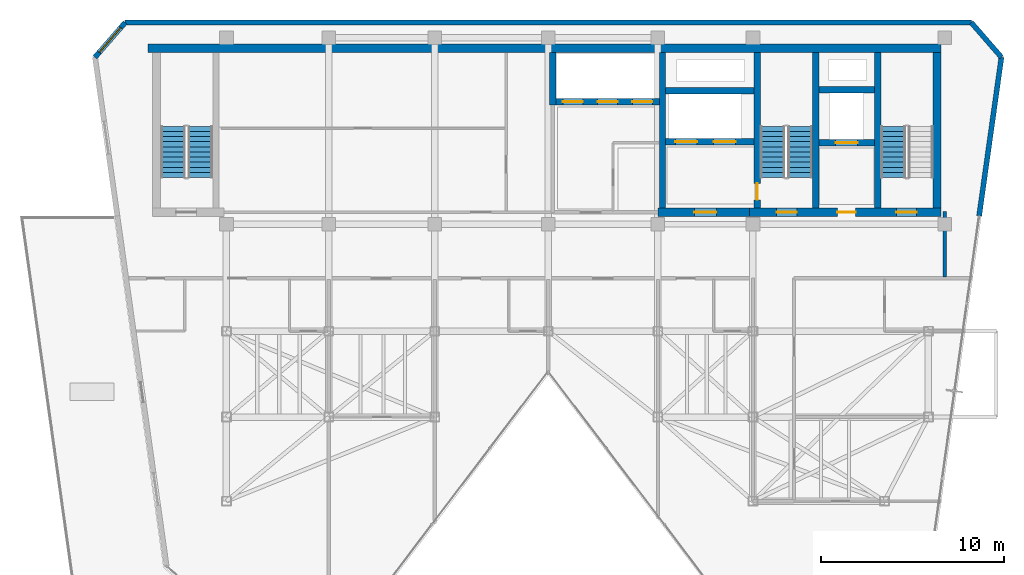
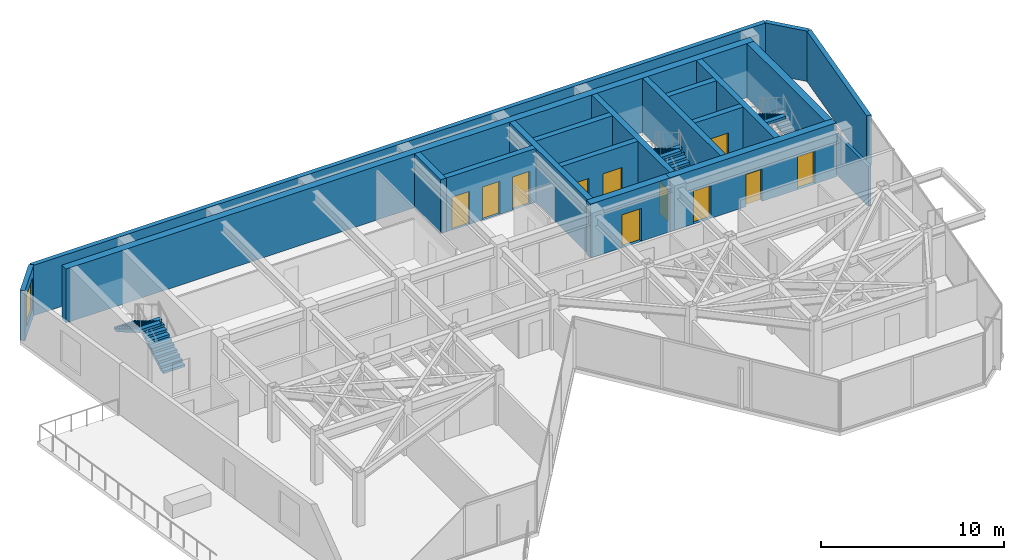
# One storey, part 17 of 21: 19 walls, 11 doors, 5 stair flights, 1 window, 12 openings, 3 elements without a shape of their own.
"""IFC4 building model written with IfcOpenShell, lengths in metres."""

import ifcopenshell
import ifcopenshell.guid

model = None  # the IFC model being written
_history = None  # IfcOwnerHistory: only IFC2X3 demands one
_inside = {}  # id of a spatial element -> (the spatial element, [elements in it])
_under = {}  # id of a project, library or spatial element -> (it, [spatial elements below it])
_declared = {}  # id of a project -> (the project, [libraries it declares])
_typed = {}  # id of a type object -> (the type object, [elements of that type])
_made_of = {}  # id of a material, layer set ... -> (it, [elements and type objects made of it])


def new_model(schema):
    """Start an empty IFC model of exactly this schema.

    Asked for "IFC4X3", IfcOpenShell would pick the latest addendum, in which some entities
    have other attributes; the version numbers below select the first issue.
    IFC2X3 requires an IfcOwnerHistory on every rooted entity: one is made here for all.
    """
    global model, _history
    if schema == "IFC4X3":
        model = ifcopenshell.file(schema_version=(4, 3, 0, 0))
    else:
        model = ifcopenshell.file(schema=schema)
    _inside.clear()
    _under.clear()
    _declared.clear()
    _typed.clear()
    _made_of.clear()
    _history = None
    if model.schema == "IFC2X3":
        org = make("IfcOrganization", Name="unknown")
        user = make(
            "IfcPersonAndOrganization",
            ThePerson=make("IfcPerson", FamilyName="unknown"),
            TheOrganization=org,
        )
        app = make(
            "IfcApplication",
            ApplicationDeveloper=org,
            Version="unknown",
            ApplicationFullName="unknown",
            ApplicationIdentifier="unknown",
        )
        _history = make(
            "IfcOwnerHistory",
            OwningUser=user,
            OwningApplication=app,
            ChangeAction="ADDED",
            CreationDate=0,
        )
    return model


def make(cls, **values):
    """One entity of the class cls with the attributes given. An attribute that is None is left unset."""
    return model.create_entity(
        cls, **{name: value for name, value in values.items() if value is not None}
    )


def rooted(cls, **values):
    """An entity with a GlobalId (a new one), such as an element, a storey or a relation."""
    return make(cls, GlobalId=ifcopenshell.guid.new(), OwnerHistory=_history, **values)


def si_unit(unit_type, name, prefix=None):
    """IfcSIUnit, for example si_unit("LENGTHUNIT", "METRE", prefix="MILLI")."""
    return make("IfcSIUnit", UnitType=unit_type, Prefix=prefix, Name=name)


def assignment(units):
    """IfcUnitAssignment: the units of a project."""
    return None if units is None else make("IfcUnitAssignment", Units=units)


def point(xyz):
    """IfcCartesianPoint."""
    return None if xyz is None else make("IfcCartesianPoint", Coordinates=xyz)


def direction(xyz):
    """IfcDirection."""
    return None if xyz is None else make("IfcDirection", DirectionRatios=xyz)


def frame(location, z_axis=None, x_axis=None):
    """IfcAxis2Placement3D, a coordinate frame: its origin and axes. An axis left out is left unset."""
    return make(
        "IfcAxis2Placement3D",
        Location=point(location),
        Axis=direction(z_axis),
        RefDirection=direction(x_axis),
    )


def frame_2d(location, x_axis=None):
    """IfcAxis2Placement2D, a coordinate frame in the plane: its origin and x axis."""
    return make(
        "IfcAxis2Placement2D", Location=point(location), RefDirection=direction(x_axis)
    )


def origin():
    """The frame at (0, 0, 0) with its axes left unset."""
    return frame((0.0, 0.0, 0.0))


def place(relative_to, where):
    """IfcLocalPlacement: puts the frame where relative to a parent placement (None: the world)."""
    return make(
        "IfcLocalPlacement", PlacementRelTo=relative_to, RelativePlacement=where
    )


def context(
    kind, dimensions, precision=None, world=None, true_north=None, identifier=None
):
    """IfcGeometricRepresentationContext, for example the 3D "Model" context."""
    return make(
        "IfcGeometricRepresentationContext",
        ContextIdentifier=identifier,
        ContextType=kind,
        CoordinateSpaceDimension=dimensions,
        Precision=precision,
        WorldCoordinateSystem=world,
        TrueNorth=true_north,
    )


def subcontext(parent, identifier, kind, view, scale=None):
    """IfcGeometricRepresentationSubContext, for example "Body" below "Model"."""
    return make(
        "IfcGeometricRepresentationSubContext",
        ContextIdentifier=identifier,
        ContextType=kind,
        ParentContext=parent,
        TargetScale=scale,
        TargetView=view,
    )


def project(units=None, contexts=None):
    """IfcProject with its units and contexts."""
    return rooted(
        "IfcProject",
        Name="project",
        RepresentationContexts=contexts,
        UnitsInContext=assignment(units),
    )


def spatial(cls, under=None, at=None, **own):
    """A site, building, storey or space (cls), placed at a placement, below another one or the project."""
    s = rooted(cls, ObjectPlacement=at, **own)
    if under is not None:
        _under.setdefault(under.id(), (under, []))[1].append(s)
    return s


def polyline(points):
    """IfcPolyline through the points."""
    return make("IfcPolyline", Points=[point(p) for p in points])


def profile(cls, at=None, kind="AREA", **sizes):
    """A parametric profile (cls). Its sizes go by their IFC names, for example OverallWidth=200.0."""
    return make(cls, ProfileType=kind, Position=at, **sizes)


def rectangle(**sizes):
    """IfcRectangleProfileDef."""
    return profile("IfcRectangleProfileDef", **sizes)


def outline(outer, holes=None, kind="AREA"):
    """IfcArbitraryClosedProfileDef: a profile drawn as a closed curve; with holes, ...WithVoids."""
    if holes is None:
        return make("IfcArbitraryClosedProfileDef", ProfileType=kind, OuterCurve=outer)
    return make(
        "IfcArbitraryProfileDefWithVoids",
        ProfileType=kind,
        OuterCurve=outer,
        InnerCurves=holes,
    )


def extrude(swept, where, along, depth):
    """IfcExtrudedAreaSolid: the profile swept, set in the frame where, extruded along a direction by depth."""
    return make(
        "IfcExtrudedAreaSolid",
        SweptArea=swept,
        Position=where,
        ExtrudedDirection=direction(along),
        Depth=depth,
    )


def shape(context_of_items, identifier, shape_type, items):
    """IfcShapeRepresentation: the items that make up one representation, for example the "Body"."""
    return make(
        "IfcShapeRepresentation",
        ContextOfItems=context_of_items,
        RepresentationIdentifier=identifier,
        RepresentationType=shape_type,
        Items=items,
    )


def material(Name=None, Category=None):
    """IfcMaterial."""
    return make("IfcMaterial", Name=Name, Category=Category)


def layer(
    of_material, thickness, ventilated=None, Name=None, Category=None, Priority=None
):
    """IfcMaterialLayer: one layer of a wall or slab, of a material (None: an air gap)."""
    return make(
        "IfcMaterialLayer",
        Material=of_material,
        LayerThickness=thickness,
        IsVentilated=ventilated,
        Name=Name,
        Category=Category,
        Priority=Priority,
    )


def layer_set(layers, Name=None):
    """IfcMaterialLayerSet."""
    return make("IfcMaterialLayerSet", MaterialLayers=layers, LayerSetName=Name)


def made_of(thing, what):
    """Note that an element or type object is made of a material, layer set ...; save() writes the relation."""
    if what is not None:
        _made_of.setdefault(what.id(), (what, []))[1].append(thing)
    return thing


def type_object(cls, material=None, **own):
    """A type object (cls), such as IfcWallType, which elements share."""
    return made_of(rooted(cls, **own), material)


def element(
    cls,
    number,
    at=None,
    inside=None,
    cuts=None,
    type_object=None,
    material=None,
    context=None,
    identifier="Body",
    shape_type=None,
    held_by="IfcProductDefinitionShape",
    body=None,
    shapes=None,
    **own,
):
    """One element of the class cls, such as IfcWall. Its Tag is "e" and its number.

    at: its placement. inside: the storey or other place that contains it. cuts: it is an
    opening in that element (IfcRelVoidsElement). A single representation is given by context,
    identifier, shape_type and body (its items); several are given by shapes. held_by: the class
    of the entity that holds the representations. save() writes the other relations.
    """
    e = rooted(cls, Tag="e%d" % number, ObjectPlacement=at, **own)
    if body is not None:
        shapes = [shape(context, identifier, shape_type, body)]
    if shapes is not None:
        e.Representation = make(held_by, Representations=shapes)
    if inside is not None:
        _inside.setdefault(inside.id(), (inside, []))[1].append(e)
    if cuts is not None:
        rooted(
            "IfcRelVoidsElement", RelatingBuildingElement=cuts, RelatedOpeningElement=e
        )
    if type_object is not None:
        _typed.setdefault(type_object.id(), (type_object, []))[1].append(e)
    return made_of(e, material)


def fill(opening, filler):
    """IfcRelFillsElement: the door or window that sits in an opening."""
    return rooted(
        "IfcRelFillsElement",
        RelatingOpeningElement=opening,
        RelatedBuildingElement=filler,
    )


def aggregate(whole, parts):
    """IfcRelAggregates: a whole, such as a stair, and the parts it consists of."""
    return rooted("IfcRelAggregates", RelatingObject=whole, RelatedObjects=parts)


def save(model, path):
    """Write the relations noted so far, then the file.

    IfcRelAggregates (storeys below a building ...), IfcRelContainedInSpatialStructure (elements
    in a storey), IfcRelDefinesByType, IfcRelAssociatesMaterial and IfcRelDeclares: one each for
    every whole, place, type object, material and project.
    """
    for whole, parts in _under.values():
        aggregate(whole, parts)
    for where, things in _inside.values():
        rooted(
            "IfcRelContainedInSpatialStructure",
            RelatedElements=things,
            RelatingStructure=where,
        )
    for kind, things in _typed.values():
        rooted("IfcRelDefinesByType", RelatedObjects=things, RelatingType=kind)
    for what, things in _made_of.values():
        rooted("IfcRelAssociatesMaterial", RelatedObjects=things, RelatingMaterial=what)
    for by, libraries in _declared.values():
        rooted("IfcRelDeclares", RelatingContext=by, RelatedDefinitions=libraries)
    model.write(path)


model = new_model("IFC4")

# Units and contexts
model_context = context("Model", 3, precision=1e-05, world=origin(), true_north=direction((0.0, 1.0)))
body_context = subcontext(model_context, "Body", "Model", "MODEL_VIEW")
ifc_project = project(units=[si_unit("LENGTHUNIT", "METRE"), si_unit("AREAUNIT", "SQUARE_METRE"), si_unit("VOLUMEUNIT", "CUBIC_METRE"), si_unit("PLANEANGLEUNIT", "RADIAN"), si_unit("MASSUNIT", "GRAM", prefix="KILO")], contexts=[model_context])

# Site, building, storey
site_placement = place(None, origin())
site = spatial("IfcSite", under=ifc_project, at=site_placement, CompositionType="ELEMENT")
building_placement = place(site_placement, origin())
building = spatial("IfcBuilding", under=site, at=building_placement, Name="Kravanh Interchange Tower", CompositionType="ELEMENT")
storey_placement = place(building_placement, frame((0.0, 0.0, 231.0)))
storey = spatial("IfcBuildingStorey", under=building, at=storey_placement, Name="L55", CompositionType="ELEMENT", Elevation=231.0)

# Walls
ifc_material_1 = material(Name="Concrete C60/75", Category="concrete")
ifc_layer_1 = layer(ifc_material_1, 0.35009765625)
ifc_layer_set_1 = layer_set([ifc_layer_1], Name="Core Shear Wall Concrete C60/75 350mm")
wall_type_1 = type_object("IfcWallType", Name="Core Shear Wall Concrete C60/75 350mm", PredefinedType="SHEAR", material=ifc_layer_set_1)
for number, where, z_axis, x_axis, name in (
    (1, (62.824951171875, 38.22509765625, 0.0), (0.0, 0.0, 1.0), (0.0, 1.0, 0.0), "L55 Stair ST1 West Shear Wall"),
    (2, (59.425048828125, 38.22509765625, 0.0), (0.0, 0.0, 1.0), (0.0, 1.0, 0.0), "L55 Stair ST2 East Shear Wall"),
):
    element("IfcWall", number, at=place(storey_placement, frame(where, z_axis=z_axis, x_axis=x_axis)), inside=storey, type_object=wall_type_1, Name=name, PredefinedType="SHEAR", context=body_context, shape_type="SweptSolid", body=[
        extrude(rectangle(XDim=8.52490234375, YDim=0.35009765625, at=frame_2d((4.262451171875, 0.0))), origin(), (0.0, 0.0, 1.0), 3.60009765625),
    ])

# Wall, opening, door
wall_1_placement = place(storey_placement, frame((56.22509765625, 38.22509765625, 0.0), z_axis=(0.0, 0.0, 1.0), x_axis=(0.0, 1.0, 0.0)))
wall_1 = element("IfcWall", 3, at=wall_1_placement, inside=storey, type_object=wall_type_1, Name="L55 Stair ST2 West Shear Wall", PredefinedType="SHEAR", context=body_context, shape_type="SweptSolid", body=[
    extrude(rectangle(XDim=8.52490234375, YDim=0.35009765625, at=frame_2d((4.262451171875, 0.0))), origin(), (0.0, 0.0, 1.0), 3.60009765625),
])
opening_1_placement = place(wall_1_placement, frame((0.455078125, 0.0, 0.0)))
opening_1 = element("IfcOpeningElement", 4, at=opening_1_placement, cuts=wall_1, Name="Opening D-STAIR-90", PredefinedType="OPENING", context=body_context, shape_type="SweptSolid", body=[
    extrude(rectangle(XDim=0.89990234375, YDim=2.14990234375, at=frame_2d((0.449951171875, 1.074951171875))), frame((0.0, 0.18505859375, 0.0), z_axis=(0.0, -1.0, 0.0), x_axis=(1.0, 0.0, 0.0)), (0.0, 0.0, 1.0), 0.3701171875),
])
ifc_material_2 = material(Name="Structural Steel S355", Category="steel")
door_type_1 = type_object("IfcDoorType", Name="Fire-Rated Stair Lobby Door 900x2150", OperationType="NOTDEFINED", PredefinedType="DOOR", material=ifc_material_2)
door_1_placement = place(opening_1_placement, origin())
door_1 = element("IfcDoor", 5, at=door_1_placement, inside=storey, type_object=door_type_1, Name="L55 Firefighting Lobby to Stair ST2 Door", OperationType="SINGLE_SWING_LEFT", OverallHeight=2.14990234375, OverallWidth=0.89990234375, PredefinedType="DOOR", context=body_context, shape_type="SweptSolid", body=[
    extrude(rectangle(XDim=0.89990234375, YDim=2.14990234375, at=frame_2d((0.449951171875, 1.074951171875))), frame((0.0, 0.02490234375, 0.0), z_axis=(0.0, -1.0, 0.0), x_axis=(1.0, 0.0, 0.0)), (0.0, 0.0, 1.0), 0.050048828125),
])
fill(opening_1, door_1)

wall_2_placement = place(storey_placement, frame((59.60009765625, 41.800048828125, 0.0), z_axis=(0.0, 0.0, 1.0), x_axis=(1.0, 0.0, 0.0)))
wall_2 = element("IfcWall", 6, at=wall_2_placement, inside=storey, type_object=wall_type_1, Name="L55 Service Lift Shaft South Wall", PredefinedType="SHEAR", context=body_context, shape_type="SweptSolid", body=[
    extrude(rectangle(XDim=3.0498046875, YDim=0.35009765625, at=frame_2d((1.52490234375, 0.0))), origin(), (0.0, 0.0, 1.0), 3.60009765625),
])
opening_2_placement = place(wall_2_placement, frame((0.919921875, 0.0, 0.0)))
opening_2 = element("IfcOpeningElement", 7, at=opening_2_placement, cuts=wall_2, Name="Opening LD02", PredefinedType="OPENING", context=body_context, shape_type="SweptSolid", body=[
    extrude(rectangle(XDim=1.199951171875, YDim=2.199951171875, at=frame_2d((0.60009765625, 1.10009765625))), frame((0.0, 0.18505859375, 0.0), z_axis=(0.0, -1.0, 0.0), x_axis=(1.0, 0.0, 0.0)), (0.0, 0.0, 1.0), 0.3701171875),
])
ifc_material_3 = material(Name="Stainless Steel 316", Category="steel")
door_type_2 = type_object("IfcDoorType", Name="Fire and Service Lift Sliding Landing Door 1200x2200", OperationType="DOUBLE_DOOR_SLIDING", PredefinedType="DOOR", material=ifc_material_3)
door_2_placement = place(opening_2_placement, origin())
door_2 = element("IfcDoor", 8, at=door_2_placement, inside=storey, type_object=door_type_2, Name="L55 Lift LS-01 Landing Door", OperationType="DOUBLE_DOOR_SLIDING", OverallHeight=2.199951171875, OverallWidth=1.199951171875, PredefinedType="DOOR", context=body_context, shape_type="SweptSolid", body=[
    extrude(rectangle(XDim=1.199951171875, YDim=2.199951171875, at=frame_2d((0.60009765625, 1.10009765625))), frame((0.0, 0.02490234375, 0.0), z_axis=(0.0, -1.0, 0.0), x_axis=(1.0, 0.0, 0.0)), (0.0, 0.0, 1.0), 0.050048828125),
])
fill(opening_2, door_2)

# Wall
wall_3_placement = place(storey_placement, frame((59.60009765625, 44.699951171875, 0.0), z_axis=(0.0, 0.0, 1.0), x_axis=(1.0, 0.0, 0.0)))
element("IfcWall", 9, at=wall_3_placement, inside=storey, type_object=wall_type_1, Name="L55 Service Lift Shaft North Wall", PredefinedType="SHEAR", context=body_context, shape_type="SweptSolid", body=[
    extrude(rectangle(XDim=3.0498046875, YDim=0.35009765625, at=frame_2d((1.52490234375, 0.0))), origin(), (0.0, 0.0, 1.0), 3.60009765625),
])

# Wall, openings, doors
wall_4_placement = place(storey_placement, frame((51.22509765625, 41.85009765625, 0.0), z_axis=(0.0, 0.0, 1.0), x_axis=(1.0, 0.0, 0.0)))
wall_4 = element("IfcWall", 10, at=wall_4_placement, inside=storey, type_object=wall_type_1, Name="L55 Fire Lift Shaft South Wall", PredefinedType="SHEAR", context=body_context, shape_type="SweptSolid", body=[
    extrude(rectangle(XDim=4.824951171875, YDim=0.35009765625, at=frame_2d((2.41259765625, 0.0))), origin(), (0.0, 0.0, 1.0), 3.60009765625),
])
opening_3_placement = place(wall_4_placement, frame((0.52490234375, 0.0, 0.0)))
opening_3 = element("IfcOpeningElement", 11, at=opening_3_placement, cuts=wall_4, Name="Opening LD02", PredefinedType="OPENING", context=body_context, shape_type="SweptSolid", body=[
    extrude(rectangle(XDim=1.199951171875, YDim=2.199951171875, at=frame_2d((0.60009765625, 1.10009765625))), frame((0.0, 0.18505859375, 0.0), z_axis=(0.0, -1.0, 0.0), x_axis=(1.0, 0.0, 0.0)), (0.0, 0.0, 1.0), 0.3701171875),
])
opening_4_placement = place(wall_4_placement, frame((2.625, 0.0, 0.0)))
opening_4 = element("IfcOpeningElement", 12, at=opening_4_placement, cuts=wall_4, Name="Opening LD02", PredefinedType="OPENING", context=body_context, shape_type="SweptSolid", body=[
    extrude(rectangle(XDim=1.199951171875, YDim=2.199951171875, at=frame_2d((0.60009765625, 1.10009765625))), frame((0.0, 0.18505859375, 0.0), z_axis=(0.0, -1.0, 0.0), x_axis=(1.0, 0.0, 0.0)), (0.0, 0.0, 1.0), 0.3701171875),
])
door_3_placement = place(opening_3_placement, origin())
door_3 = element("IfcDoor", 13, at=door_3_placement, inside=storey, type_object=door_type_2, Name="L55 Lift FSAE-01 Landing Door", OperationType="DOUBLE_DOOR_SLIDING", OverallHeight=2.199951171875, OverallWidth=1.199951171875, PredefinedType="DOOR", context=body_context, shape_type="SweptSolid", body=[
    extrude(rectangle(XDim=1.199951171875, YDim=2.199951171875, at=frame_2d((0.60009765625, 1.10009765625))), frame((0.0, 0.02490234375, 0.0), z_axis=(0.0, -1.0, 0.0), x_axis=(1.0, 0.0, 0.0)), (0.0, 0.0, 1.0), 0.050048828125),
])
fill(opening_3, door_3)
door_4_placement = place(opening_4_placement, origin())
door_4 = element("IfcDoor", 14, at=door_4_placement, inside=storey, type_object=door_type_2, Name="L55 Lift FSAE-02 Landing Door", OperationType="DOUBLE_DOOR_SLIDING", OverallHeight=2.199951171875, OverallWidth=1.199951171875, PredefinedType="DOOR", context=body_context, shape_type="SweptSolid", body=[
    extrude(rectangle(XDim=1.199951171875, YDim=2.199951171875, at=frame_2d((0.60009765625, 1.10009765625))), frame((0.0, 0.02490234375, 0.0), z_axis=(0.0, -1.0, 0.0), x_axis=(1.0, 0.0, 0.0)), (0.0, 0.0, 1.0), 0.050048828125),
])
fill(opening_4, door_4)

# Walls
wall_5_placement = place(storey_placement, frame((51.22509765625, 44.64990234375, 0.0), z_axis=(0.0, 0.0, 1.0), x_axis=(1.0, 0.0, 0.0)))
element("IfcWall", 15, at=wall_5_placement, inside=storey, type_object=wall_type_1, Name="L55 Fire Lift Shaft North Wall", PredefinedType="SHEAR", context=body_context, shape_type="SweptSolid", body=[
    extrude(rectangle(XDim=4.824951171875, YDim=0.35009765625, at=frame_2d((2.41259765625, 0.0))), origin(), (0.0, 0.0, 1.0), 3.60009765625),
])
wall_6_placement = place(storey_placement, frame((51.050048828125, 38.22509765625, 0.0), z_axis=(0.0, 0.0, 1.0), x_axis=(0.0, 1.0, 0.0)))
element("IfcWall", 16, at=wall_6_placement, inside=storey, type_object=wall_type_1, Name="L55 Firefighting Lobby West Wall", PredefinedType="SHEAR", context=body_context, shape_type="SweptSolid", body=[
    extrude(rectangle(XDim=8.52490234375, YDim=0.35009765625, at=frame_2d((4.262451171875, 0.0))), origin(), (0.0, 0.0, 1.0), 3.60009765625),
])

# Wall, openings, doors
wall_7_placement = place(storey_placement, frame((45.22509765625, 44.050048828125, 0.0), z_axis=(0.0, 0.0, 1.0), x_axis=(1.0, 0.0, 0.0)))
wall_7 = element("IfcWall", 17, at=wall_7_placement, inside=storey, type_object=wall_type_1, Name="L55 High-Rise Lift Shaft South Wall", PredefinedType="SHEAR", context=body_context, shape_type="SweptSolid", body=[
    extrude(rectangle(XDim=5.64990234375, YDim=0.35009765625, at=frame_2d((2.824951171875, 0.0))), origin(), (0.0, 0.0, 1.0), 3.60009765625),
])
opening_5_placement = place(wall_7_placement, frame((0.375, 0.0, 0.0)))
opening_5 = element("IfcOpeningElement", 18, at=opening_5_placement, cuts=wall_7, Name="Opening LD01", PredefinedType="OPENING", context=body_context, shape_type="SweptSolid", body=[
    extrude(rectangle(XDim=1.10009765625, YDim=2.199951171875, at=frame_2d((0.550048828125, 1.10009765625))), frame((0.0, 0.18505859375, 0.0), z_axis=(0.0, -1.0, 0.0), x_axis=(1.0, 0.0, 0.0)), (0.0, 0.0, 1.0), 0.3701171875),
])
opening_6_placement = place(wall_7_placement, frame((2.27490234375, 0.0, 0.0)))
opening_6 = element("IfcOpeningElement", 19, at=opening_6_placement, cuts=wall_7, Name="Opening LD01", PredefinedType="OPENING", context=body_context, shape_type="SweptSolid", body=[
    extrude(rectangle(XDim=1.10009765625, YDim=2.199951171875, at=frame_2d((0.550048828125, 1.10009765625))), frame((0.0, 0.18505859375, 0.0), z_axis=(0.0, -1.0, 0.0), x_axis=(1.0, 0.0, 0.0)), (0.0, 0.0, 1.0), 0.3701171875),
])
opening_7_placement = place(wall_7_placement, frame((4.175048828125, 0.0, 0.0)))
opening_7 = element("IfcOpeningElement", 20, at=opening_7_placement, cuts=wall_7, Name="Opening LD01", PredefinedType="OPENING", context=body_context, shape_type="SweptSolid", body=[
    extrude(rectangle(XDim=1.10009765625, YDim=2.199951171875, at=frame_2d((0.550048828125, 1.10009765625))), frame((0.0, 0.18505859375, 0.0), z_axis=(0.0, -1.0, 0.0), x_axis=(1.0, 0.0, 0.0)), (0.0, 0.0, 1.0), 0.3701171875),
])
ifc_material_4 = material(Name="Stainless Steel 304", Category="steel")
door_type_3 = type_object("IfcDoorType", Name="Passenger Lift Sliding Landing Door 1100x2200", OperationType="DOUBLE_DOOR_SLIDING", PredefinedType="DOOR", material=ifc_material_4)
door_5_placement = place(opening_5_placement, origin())
door_5 = element("IfcDoor", 21, at=door_5_placement, inside=storey, type_object=door_type_3, Name="L55 Lift LP-H1 Landing Door", OperationType="DOUBLE_DOOR_SLIDING", OverallHeight=2.199951171875, OverallWidth=1.10009765625, PredefinedType="DOOR", context=body_context, shape_type="SweptSolid", body=[
    extrude(rectangle(XDim=1.10009765625, YDim=2.199951171875, at=frame_2d((0.550048828125, 1.10009765625))), frame((0.0, 0.02490234375, 0.0), z_axis=(0.0, -1.0, 0.0), x_axis=(1.0, 0.0, 0.0)), (0.0, 0.0, 1.0), 0.050048828125),
])
fill(opening_5, door_5)
door_6_placement = place(opening_6_placement, origin())
door_6 = element("IfcDoor", 22, at=door_6_placement, inside=storey, type_object=door_type_3, Name="L55 Lift LP-H2 Landing Door", OperationType="DOUBLE_DOOR_SLIDING", OverallHeight=2.199951171875, OverallWidth=1.10009765625, PredefinedType="DOOR", context=body_context, shape_type="SweptSolid", body=[
    extrude(rectangle(XDim=1.10009765625, YDim=2.199951171875, at=frame_2d((0.550048828125, 1.10009765625))), frame((0.0, 0.02490234375, 0.0), z_axis=(0.0, -1.0, 0.0), x_axis=(1.0, 0.0, 0.0)), (0.0, 0.0, 1.0), 0.050048828125),
])
fill(opening_6, door_6)
door_7_placement = place(opening_7_placement, origin())
door_7 = element("IfcDoor", 23, at=door_7_placement, inside=storey, type_object=door_type_3, Name="L55 Lift LP-H3 Landing Door", OperationType="DOUBLE_DOOR_SLIDING", OverallHeight=2.199951171875, OverallWidth=1.10009765625, PredefinedType="DOOR", context=body_context, shape_type="SweptSolid", body=[
    extrude(rectangle(XDim=1.10009765625, YDim=2.199951171875, at=frame_2d((0.550048828125, 1.10009765625))), frame((0.0, 0.02490234375, 0.0), z_axis=(0.0, -1.0, 0.0), x_axis=(1.0, 0.0, 0.0)), (0.0, 0.0, 1.0), 0.050048828125),
])
fill(opening_7, door_7)

# Walls
wall_8_placement = place(storey_placement, frame((45.050048828125, 43.875, 0.0), z_axis=(0.0, 0.0, 1.0), x_axis=(0.0, 1.0, 0.0)))
element("IfcWall", 24, at=wall_8_placement, inside=storey, type_object=wall_type_1, Name="L55 High-Rise Lift Shaft West Wall", PredefinedType="SHEAR", context=body_context, shape_type="SweptSolid", body=[
    extrude(rectangle(XDim=2.875, YDim=0.35009765625, at=frame_2d((1.4375, 0.0))), origin(), (0.0, 0.0, 1.0), 3.60009765625),
])
ifc_material_5 = material(Name="Concrete C60/75", Category="concrete")
ifc_layer_2 = layer(ifc_material_5, 0.449951171875)
ifc_layer_set_2 = layer_set([ifc_layer_2], Name="Core Shear Wall Concrete C60/75 450mm")
wall_type_2 = type_object("IfcWallType", Name="Core Shear Wall Concrete C60/75 450mm", PredefinedType="SHEAR", material=ifc_layer_set_2)
wall_9_placement = place(storey_placement, frame((22.89990234375, 46.97509765625, 0.0), z_axis=(0.0, 0.0, 1.0), x_axis=(1.0, 0.0, 0.0)))
element("IfcWall", 25, at=wall_9_placement, inside=storey, type_object=wall_type_2, Name="L55 North Core Shear Wall", PredefinedType="SHEAR", context=body_context, shape_type="SweptSolid", body=[
    extrude(rectangle(XDim=43.400146484375, YDim=0.449951171875, at=frame_2d((21.7001953125, 0.0))), origin(), (0.0, 0.0, 1.0), 3.60009765625),
])

# Wall, openings, doors
wall_10_placement = place(storey_placement, frame((55.800048828125, 38.0, 0.0), z_axis=(0.0, 0.0, 1.0), x_axis=(1.0, 0.0, 0.0)))
wall_10 = element("IfcWall", 26, at=wall_10_placement, inside=storey, type_object=wall_type_2, Name="L55 East Core South Shear Wall", PredefinedType="SHEAR", context=body_context, shape_type="SweptSolid", body=[
    extrude(rectangle(XDim=10.5, YDim=0.449951171875, at=frame_2d((5.25, 0.0))), origin(), (0.0, 0.0, 1.0), 3.60009765625),
])
opening_8_placement = place(wall_10_placement, frame((1.5, 0.0, 0.0)))
opening_8 = element("IfcOpeningElement", 27, at=opening_8_placement, cuts=wall_10, Name="Opening D-STAIR-110", PredefinedType="OPENING", context=body_context, shape_type="SweptSolid", body=[
    extrude(rectangle(XDim=1.10009765625, YDim=2.199951171875, at=frame_2d((0.550048828125, 1.10009765625))), frame((0.0, 0.23486328125, 0.0), z_axis=(0.0, -1.0, 0.0), x_axis=(1.0, 0.0, 0.0)), (0.0, 0.0, 1.0), 0.469970703125),
])
opening_9_placement = place(wall_10_placement, frame((4.820068359375, 0.0, 0.0)))
opening_9 = element("IfcOpeningElement", 28, at=opening_9_placement, cuts=wall_10, Name="Opening D-HOTEL-100", PredefinedType="OPENING", context=body_context, shape_type="SweptSolid", body=[
    extrude(rectangle(XDim=1.0, YDim=2.14990234375, at=frame_2d((0.5, 1.074951171875))), frame((0.0, 0.23486328125, 0.0), z_axis=(0.0, -1.0, 0.0), x_axis=(1.0, 0.0, 0.0)), (0.0, 0.0, 1.0), 0.469970703125),
])
opening_10_placement = place(wall_10_placement, frame((8.050048828125, 0.0, 0.0)))
opening_10 = element("IfcOpeningElement", 29, at=opening_10_placement, cuts=wall_10, Name="Opening D-STAIR-110", PredefinedType="OPENING", context=body_context, shape_type="SweptSolid", body=[
    extrude(rectangle(XDim=1.10009765625, YDim=2.199951171875, at=frame_2d((0.550048828125, 1.10009765625))), frame((0.0, 0.23486328125, 0.0), z_axis=(0.0, -1.0, 0.0), x_axis=(1.0, 0.0, 0.0)), (0.0, 0.0, 1.0), 0.469970703125),
])
ifc_material_6 = material(Name="Structural Steel S355", Category="steel")
door_type_4 = type_object("IfcDoorType", Name="Fire-Rated Exit Stair Door 1100x2200", OperationType="NOTDEFINED", PredefinedType="DOOR", material=ifc_material_6)
door_8_placement = place(opening_8_placement, origin())
door_8 = element("IfcDoor", 30, at=door_8_placement, inside=storey, type_object=door_type_4, Name="L55 Exit Stair ST2 Door", OperationType="SINGLE_SWING_RIGHT", OverallHeight=2.199951171875, OverallWidth=1.10009765625, PredefinedType="DOOR", context=body_context, shape_type="SweptSolid", body=[
    extrude(rectangle(XDim=1.10009765625, YDim=2.199951171875, at=frame_2d((0.550048828125, 1.10009765625))), frame((0.0, 0.02490234375, 0.0), z_axis=(0.0, -1.0, 0.0), x_axis=(1.0, 0.0, 0.0)), (0.0, 0.0, 1.0), 0.050048828125),
])
fill(opening_8, door_8)
door_9_placement = place(opening_10_placement, origin())
door_9 = element("IfcDoor", 31, at=door_9_placement, inside=storey, type_object=door_type_4, Name="L55 Exit Stair ST1 Door", OperationType="SINGLE_SWING_RIGHT", OverallHeight=2.199951171875, OverallWidth=1.10009765625, PredefinedType="DOOR", context=body_context, shape_type="SweptSolid", body=[
    extrude(rectangle(XDim=1.10009765625, YDim=2.199951171875, at=frame_2d((0.550048828125, 1.10009765625))), frame((0.0, 0.02490234375, 0.0), z_axis=(0.0, -1.0, 0.0), x_axis=(1.0, 0.0, 0.0)), (0.0, 0.0, 1.0), 0.050048828125),
])
fill(opening_10, door_9)
ifc_material_7 = material(Name="Fire-Rated Solid Timber Leaf", Category="wood")
door_type_5 = type_object("IfcDoorType", Name="Fire-Rated Suite Entrance Door 1000x2150", OperationType="NOTDEFINED", PredefinedType="DOOR", material=ifc_material_7)
door_10_placement = place(opening_9_placement, origin())
door_10 = element("IfcDoor", 32, at=door_10_placement, inside=storey, type_object=door_type_5, Name="L55 Service Lift Lobby Door", OperationType="SINGLE_SWING_RIGHT", OverallHeight=2.14990234375, OverallWidth=1.0, PredefinedType="DOOR", context=body_context, shape_type="SweptSolid", body=[
    extrude(rectangle(XDim=1.0, YDim=2.14990234375, at=frame_2d((0.5, 1.074951171875))), frame((0.0, 0.02490234375, 0.0), z_axis=(0.0, -1.0, 0.0), x_axis=(1.0, 0.0, 0.0)), (0.0, 0.0, 1.0), 0.050048828125),
])
fill(opening_9, door_10)

# Wall
wall_11_placement = place(storey_placement, frame((66.074951171875, 38.22509765625, 0.0), z_axis=(0.0, 0.0, 1.0), x_axis=(0.0, 1.0, 0.0)))
element("IfcWall", 33, at=wall_11_placement, inside=storey, type_object=wall_type_2, Name="L55 Stair ST1 East Shear Wall", PredefinedType="SHEAR", context=body_context, shape_type="SweptSolid", body=[
    extrude(rectangle(XDim=8.52490234375, YDim=0.449951171875, at=frame_2d((4.262451171875, 0.0))), origin(), (0.0, 0.0, 1.0), 3.60009765625),
])

# Wall, opening, door
wall_12_placement = place(storey_placement, frame((50.800048828125, 38.0, 0.0), z_axis=(0.0, 0.0, 1.0), x_axis=(1.0, 0.0, 0.0)))
wall_12 = element("IfcWall", 34, at=wall_12_placement, inside=storey, type_object=wall_type_2, Name="L55 Firefighting Lobby South Shear Wall", PredefinedType="SHEAR", context=body_context, shape_type="SweptSolid", body=[
    extrude(rectangle(XDim=5.0, YDim=0.449951171875, at=frame_2d((2.5, 0.0))), origin(), (0.0, 0.0, 1.0), 3.60009765625),
])
opening_11_placement = place(wall_12_placement, frame((2.0, 0.0, 0.0)))
opening_11 = element("IfcOpeningElement", 35, at=opening_11_placement, cuts=wall_12, Name="Opening D-FSAE-120", PredefinedType="OPENING", context=body_context, shape_type="SweptSolid", body=[
    extrude(rectangle(XDim=1.199951171875, YDim=2.199951171875, at=frame_2d((0.60009765625, 1.10009765625))), frame((0.0, 0.23486328125, 0.0), z_axis=(0.0, -1.0, 0.0), x_axis=(1.0, 0.0, 0.0)), (0.0, 0.0, 1.0), 0.469970703125),
])
ifc_material_8 = material(Name="Structural Steel S355", Category="steel")
door_type_6 = type_object("IfcDoorType", Name="Fire-Rated Refuge and FSAE Door 1200x2200", OperationType="NOTDEFINED", PredefinedType="DOOR", material=ifc_material_8)
door_11_placement = place(opening_11_placement, origin())
door_11 = element("IfcDoor", 36, at=door_11_placement, inside=storey, type_object=door_type_6, Name="L55 Firefighting Lobby Corridor Door", OperationType="SINGLE_SWING_RIGHT", OverallHeight=2.199951171875, OverallWidth=1.199951171875, PredefinedType="DOOR", context=body_context, shape_type="SweptSolid", body=[
    extrude(rectangle(XDim=1.199951171875, YDim=2.199951171875, at=frame_2d((0.60009765625, 1.10009765625))), frame((0.0, 0.02490234375, 0.0), z_axis=(0.0, -1.0, 0.0), x_axis=(1.0, 0.0, 0.0)), (0.0, 0.0, 1.0), 0.050048828125),
])
fill(opening_11, door_11)

# Wall, opening, window
ifc_material_9 = material(Name="Insulated Precast Concrete C40/50 with Bronze Cladding", Category="concrete")
ifc_layer_3 = layer(ifc_material_9, 0.280029296875)
ifc_layer_set_3 = layer_set([ifc_layer_3], Name="Exterior Insulated Concrete C40/50 Bronze Spandrel Wall 280mm")
wall_type_3 = type_object("IfcWallType", Name="Exterior Insulated Concrete C40/50 Bronze Spandrel Wall 280mm", PredefinedType="STANDARD", material=ifc_layer_set_3)
wall_13_placement = place(storey_placement, frame((20.004638671875, 46.48193359375, 0.0), z_axis=(0.0, 0.0, 1.0), x_axis=(0.656123436343, 0.75465358694, 0.0)))
wall_13 = element("IfcWall", 37, at=wall_13_placement, inside=storey, type_object=wall_type_3, Name="L55 Exterior Wall 3", PredefinedType="STANDARD", context=body_context, shape_type="SweptSolid", body=[
    extrude(rectangle(XDim=2.514892578125, YDim=0.280029296875, at=frame_2d((1.25732421875, 0.0))), origin(), (0.0, 0.0, 1.0), 3.360107421875),
])
opening_12_placement = place(wall_13_placement, frame((0.352783203125, 0.0, 0.64990234375)))
opening_12 = element("IfcOpeningElement", 38, at=opening_12_placement, cuts=wall_13, Name="Opening WN-180X210", PredefinedType="OPENING", context=body_context, shape_type="SweptSolid", body=[
    extrude(rectangle(XDim=1.800048828125, YDim=2.10009765625, at=frame_2d((0.89990234375, 1.050048828125))), frame((0.0, 0.14990234375, 0.0), z_axis=(0.0, -1.0, 0.0), x_axis=(1.0, 0.0, 0.0)), (0.0, 0.0, 1.0), 0.300048828125),
])
ifc_material_10 = material(Name="Thermally Broken Bronze Aluminium and Low-E Glass", Category="aluminium")
window_type = type_object("IfcWindowType", Name="Tower Pier Window 1800x2100", PartitioningType="SINGLE_PANEL", PredefinedType="WINDOW", material=ifc_material_10)
window_placement = place(opening_12_placement, origin())
window = element("IfcWindow", 39, at=window_placement, inside=storey, type_object=window_type, Name="L55 Corner Window 3", OverallHeight=2.10009765625, OverallWidth=1.800048828125, PartitioningType="SINGLE_PANEL", PredefinedType="WINDOW", context=body_context, shape_type="SweptSolid", body=[
    extrude(rectangle(XDim=1.800048828125, YDim=2.10009765625, at=frame_2d((0.89990234375, 1.050048828125))), frame((0.0, 0.030029296875, 0.0), z_axis=(0.0, -1.0, 0.0), x_axis=(1.0, 0.0, 0.0)), (0.0, 0.0, 1.0), 0.06005859375),
])
fill(opening_12, window)

# Walls
wall_14_placement = place(storey_placement, frame((21.65478515625, 48.3798828125, 0.0), z_axis=(0.0, 0.0, 1.0), x_axis=(1.0, 0.0, 0.0)))
element("IfcWall", 40, at=wall_14_placement, inside=storey, type_object=wall_type_3, Name="L55 Exterior Wall 4", PredefinedType="STANDARD", context=body_context, shape_type="SweptSolid", body=[
    extrude(rectangle(XDim=46.29052734375, YDim=0.280029296875, at=frame_2d((23.145263671875, 0.0))), origin(), (0.0, 0.0, 1.0), 3.360107421875),
])
wall_15_placement = place(storey_placement, frame((67.9453125, 48.3798828125, 0.0), z_axis=(0.0, 0.0, 1.0), x_axis=(0.656068147197, -0.75470165379, 0.0)))
element("IfcWall", 41, at=wall_15_placement, inside=storey, type_object=wall_type_3, Name="L55 Exterior Wall 5", PredefinedType="STANDARD", context=body_context, shape_type="SweptSolid", body=[
    extrude(rectangle(XDim=2.514892578125, YDim=0.280029296875, at=frame_2d((1.25732421875, 0.0))), origin(), (0.0, 0.0, 1.0), 3.360107421875),
])
wall_16_placement = place(storey_placement, frame((69.59521484375, 46.48193359375, 0.0), z_axis=(0.0, 0.0, 1.0), x_axis=(-0.139179310088, -0.990267196086, 0.0)))
element("IfcWall", 42, at=wall_16_placement, inside=storey, type_object=wall_type_3, Name="L55 Exterior Wall 6", PredefinedType="STANDARD", context=body_context, shape_type="SweptSolid", body=[
    extrude(rectangle(XDim=8.767333984375, YDim=0.280029296875, at=frame_2d((4.3837890625, 0.0))), origin(), (0.0, 0.0, 1.0), 3.360107421875),
])
ifc_material_11 = material(Name="Autoclaved Aerated Concrete C30/37 Blockwork", Category="masonry")
ifc_layer_4 = layer(ifc_material_11, 0.179931640625)
ifc_layer_set_4 = layer_set([ifc_layer_4], Name="Fire-Rated Lobby and Corridor Wall Concrete C30/37 180mm")
wall_type_4 = type_object("IfcWallType", Name="Fire-Rated Lobby and Corridor Wall Concrete C30/37 180mm", PredefinedType="STANDARD", material=ifc_layer_set_4)
wall_17_placement = place(storey_placement, frame((66.5, 34.468017578125, 0.0), z_axis=(0.0, 0.0, 1.0), x_axis=(0.0, 1.0, 0.0)))
element("IfcWall", 43, at=wall_17_placement, inside=storey, type_object=wall_type_4, Name="L55 Interior Partition 11", PredefinedType="STANDARD", context=body_context, shape_type="SweptSolid", body=[
    extrude(rectangle(XDim=3.58203125, YDim=0.179931640625, at=frame_2d((1.791015625, 0.0))), origin(), (0.0, 0.0, 1.0), 2.6640625),
])

# Stair, stair flight
ifc_material_12 = material(Name="Concrete C50/60", Category="concrete")
stair_type = type_object("IfcStairType", Name="Core Fire Exit Dogleg Stair Concrete C50/60", PredefinedType="HALF_TURN_STAIR", material=ifc_material_12)
stair_1_placement = place(storey_placement, origin())
stair_1 = element("IfcStair", 44, at=stair_1_placement, inside=storey, type_object=stair_type, Name="L55 Exit Stair ST1", PredefinedType="HALF_TURN_STAIR")
ifc_material_13 = material(Name="Precast Concrete C50/60", Category="concrete")
ifc_layer_5 = layer(ifc_material_13, 0.199951171875)
ifc_layer_set_5 = layer_set([ifc_layer_5], Name="Precast Concrete C50/60 Stair Flight 1350mm")
stair_flight_type = type_object("IfcStairFlightType", Name="Precast Concrete C50/60 Stair Flight 1350mm", PredefinedType="STRAIGHT", material=ifc_layer_set_5)
stair_flight_1_placement = place(storey_placement, frame((63.675048828125, 42.699951171875, 1.800048828125), z_axis=(0.0, 0.0, 1.0), x_axis=(0.0, -1.0, 0.0)))
stair_flight_1 = element("IfcStairFlight", 45, at=stair_flight_1_placement, type_object=stair_flight_type, Name="ST1 flight 2", NumberOfRisers=11, NumberOfTreads=10, PredefinedType="STRAIGHT", RiserHeight=0.163636364, TreadLength=0.28, context=body_context, shape_type="SweptSolid", body=[
    extrude(outline(polyline([(0.0, 0.0), (0.0, 0.16357421875), (0.280029296875, 0.16357421875), (0.280029296875, 0.327392578125), (0.56005859375, 0.327392578125), (0.56005859375, 0.490966796875), (0.840087890625, 0.490966796875), (0.840087890625, 0.654541015625), (1.1201171875, 0.654541015625), (1.1201171875, 0.818115234375), (1.39990234375, 0.818115234375), (1.39990234375, 0.98193359375), (1.679931640625, 0.98193359375), (1.679931640625, 1.1455078125), (1.9599609375, 1.1455078125), (1.9599609375, 1.30908203125), (2.239990234375, 1.30908203125), (2.239990234375, 1.47265625), (2.52001953125, 1.47265625), (2.52001953125, 1.636474609375), (2.800048828125, 1.636474609375), (2.800048828125, 1.800048828125), (2.800048828125, 1.462646484375), (0.297119140625, 0.0), (0.0, 0.0)])), frame((0.0, 0.675048828125, 0.0), z_axis=(0.0, -1.0, 0.0), x_axis=(1.0, 0.0, 0.0)), (0.0, 0.0, 1.0), 1.35009765625),
])
aggregate(stair_1, [stair_flight_1])

# Stair, stair flights
stair_2_placement = place(storey_placement, origin())
stair_2 = element("IfcStair", 46, at=stair_2_placement, inside=storey, type_object=stair_type, Name="L55 Exit Stair ST2", PredefinedType="HALF_TURN_STAIR")
stair_flight_2_placement = place(storey_placement, frame((58.574951171875, 39.89990234375, 0.0), z_axis=(0.0, 0.0, 1.0), x_axis=(0.0, 1.0, 0.0)))
stair_flight_2 = element("IfcStairFlight", 47, at=stair_flight_2_placement, type_object=stair_flight_type, Name="ST2 flight 1", NumberOfRisers=11, NumberOfTreads=10, PredefinedType="STRAIGHT", RiserHeight=0.163636364, TreadLength=0.28, context=body_context, shape_type="SweptSolid", body=[
    extrude(outline(polyline([(0.0, 0.0), (0.0, 0.16357421875), (0.280029296875, 0.16357421875), (0.280029296875, 0.327392578125), (0.56005859375, 0.327392578125), (0.56005859375, 0.490966796875), (0.840087890625, 0.490966796875), (0.840087890625, 0.654541015625), (1.1201171875, 0.654541015625), (1.1201171875, 0.818115234375), (1.39990234375, 0.818115234375), (1.39990234375, 0.98193359375), (1.679931640625, 0.98193359375), (1.679931640625, 1.1455078125), (1.9599609375, 1.1455078125), (1.9599609375, 1.30908203125), (2.239990234375, 1.30908203125), (2.239990234375, 1.47265625), (2.52001953125, 1.47265625), (2.52001953125, 1.636474609375), (2.800048828125, 1.636474609375), (2.800048828125, 1.800048828125), (2.800048828125, 1.462646484375), (0.297119140625, 0.0), (0.0, 0.0)])), frame((0.0, 0.675048828125, 0.0), z_axis=(0.0, -1.0, 0.0), x_axis=(1.0, 0.0, 0.0)), (0.0, 0.0, 1.0), 1.35009765625),
])
stair_flight_3_placement = place(storey_placement, frame((57.074951171875, 42.699951171875, 1.800048828125), z_axis=(0.0, 0.0, 1.0), x_axis=(0.0, -1.0, 0.0)))
stair_flight_3 = element("IfcStairFlight", 48, at=stair_flight_3_placement, type_object=stair_flight_type, Name="ST2 flight 2", NumberOfRisers=11, NumberOfTreads=10, PredefinedType="STRAIGHT", RiserHeight=0.163636364, TreadLength=0.28, context=body_context, shape_type="SweptSolid", body=[
    extrude(outline(polyline([(0.0, 0.0), (0.0, 0.16357421875), (0.280029296875, 0.16357421875), (0.280029296875, 0.327392578125), (0.56005859375, 0.327392578125), (0.56005859375, 0.490966796875), (0.840087890625, 0.490966796875), (0.840087890625, 0.654541015625), (1.1201171875, 0.654541015625), (1.1201171875, 0.818115234375), (1.39990234375, 0.818115234375), (1.39990234375, 0.98193359375), (1.679931640625, 0.98193359375), (1.679931640625, 1.1455078125), (1.9599609375, 1.1455078125), (1.9599609375, 1.30908203125), (2.239990234375, 1.30908203125), (2.239990234375, 1.47265625), (2.52001953125, 1.47265625), (2.52001953125, 1.636474609375), (2.800048828125, 1.636474609375), (2.800048828125, 1.800048828125), (2.800048828125, 1.462646484375), (0.297119140625, 0.0), (0.0, 0.0)])), frame((0.0, 0.675048828125, 0.0), z_axis=(0.0, -1.0, 0.0), x_axis=(1.0, 0.0, 0.0)), (0.0, 0.0, 1.0), 1.35009765625),
])
aggregate(stair_2, [stair_flight_2, stair_flight_3])

stair_3_placement = place(storey_placement, origin())
stair_3 = element("IfcStair", 49, at=stair_3_placement, inside=storey, type_object=stair_type, Name="L55 Exit Stair ST3", PredefinedType="HALF_TURN_STAIR")
stair_flight_4_placement = place(storey_placement, frame((25.77490234375, 39.89990234375, 0.0), z_axis=(0.0, 0.0, 1.0), x_axis=(0.0, 1.0, 0.0)))
stair_flight_4 = element("IfcStairFlight", 50, at=stair_flight_4_placement, type_object=stair_flight_type, Name="ST3 flight 1", NumberOfRisers=11, NumberOfTreads=10, PredefinedType="STRAIGHT", RiserHeight=0.163636364, TreadLength=0.28, context=body_context, shape_type="SweptSolid", body=[
    extrude(outline(polyline([(0.0, 0.0), (0.0, 0.16357421875), (0.280029296875, 0.16357421875), (0.280029296875, 0.327392578125), (0.56005859375, 0.327392578125), (0.56005859375, 0.490966796875), (0.840087890625, 0.490966796875), (0.840087890625, 0.654541015625), (1.1201171875, 0.654541015625), (1.1201171875, 0.818115234375), (1.39990234375, 0.818115234375), (1.39990234375, 0.98193359375), (1.679931640625, 0.98193359375), (1.679931640625, 1.1455078125), (1.9599609375, 1.1455078125), (1.9599609375, 1.30908203125), (2.239990234375, 1.30908203125), (2.239990234375, 1.47265625), (2.52001953125, 1.47265625), (2.52001953125, 1.636474609375), (2.800048828125, 1.636474609375), (2.800048828125, 1.800048828125), (2.800048828125, 1.462646484375), (0.297119140625, 0.0), (0.0, 0.0)])), frame((0.0, 0.675048828125, 0.0), z_axis=(0.0, -1.0, 0.0), x_axis=(1.0, 0.0, 0.0)), (0.0, 0.0, 1.0), 1.35009765625),
])
stair_flight_5_placement = place(storey_placement, frame((24.27490234375, 42.699951171875, 1.800048828125), z_axis=(0.0, 0.0, 1.0), x_axis=(0.0, -1.0, 0.0)))
stair_flight_5 = element("IfcStairFlight", 51, at=stair_flight_5_placement, type_object=stair_flight_type, Name="ST3 flight 2", NumberOfRisers=11, NumberOfTreads=10, PredefinedType="STRAIGHT", RiserHeight=0.163636364, TreadLength=0.28, context=body_context, shape_type="SweptSolid", body=[
    extrude(outline(polyline([(0.0, 0.0), (0.0, 0.16357421875), (0.280029296875, 0.16357421875), (0.280029296875, 0.327392578125), (0.56005859375, 0.327392578125), (0.56005859375, 0.490966796875), (0.840087890625, 0.490966796875), (0.840087890625, 0.654541015625), (1.1201171875, 0.654541015625), (1.1201171875, 0.818115234375), (1.39990234375, 0.818115234375), (1.39990234375, 0.98193359375), (1.679931640625, 0.98193359375), (1.679931640625, 1.1455078125), (1.9599609375, 1.1455078125), (1.9599609375, 1.30908203125), (2.239990234375, 1.30908203125), (2.239990234375, 1.47265625), (2.52001953125, 1.47265625), (2.52001953125, 1.636474609375), (2.800048828125, 1.636474609375), (2.800048828125, 1.800048828125), (2.800048828125, 1.462646484375), (0.297119140625, 0.0), (0.0, 0.0)])), frame((0.0, 0.675048828125, 0.0), z_axis=(0.0, -1.0, 0.0), x_axis=(1.0, 0.0, 0.0)), (0.0, 0.0, 1.0), 1.35009765625),
])
aggregate(stair_3, [stair_flight_4, stair_flight_5])

save(model, "model.ifc")
